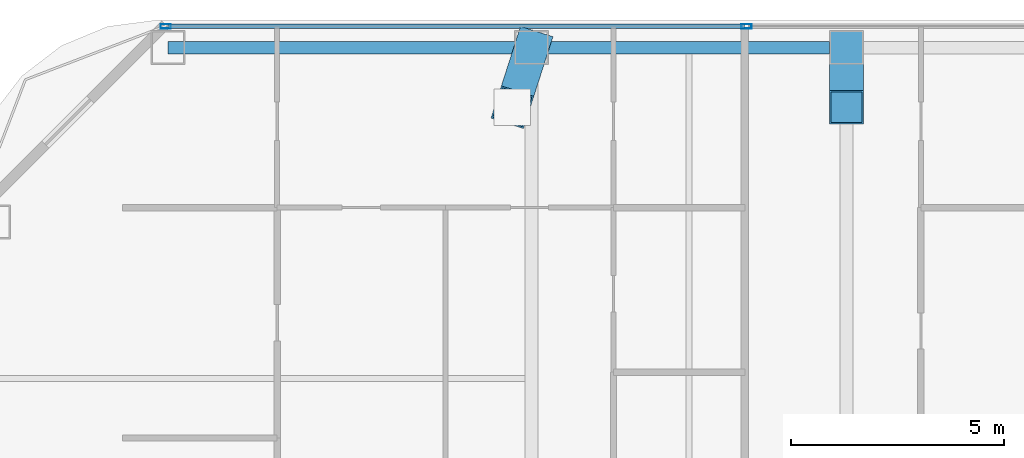
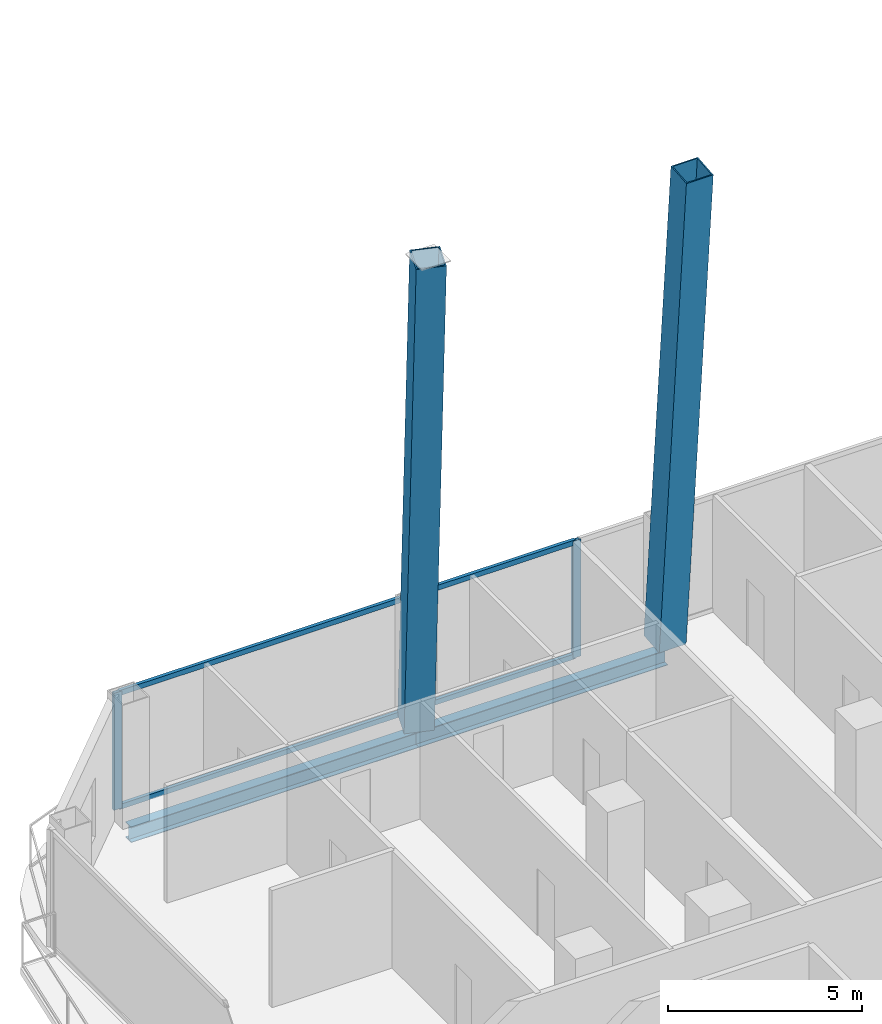
# One storey, part 18 of 32: 6 members, 2 beams, 1 element without a shape of its own.
"""IFC4 building model written with IfcOpenShell, lengths in metres."""

import ifcopenshell
import ifcopenshell.guid

model = None  # the IFC model being written
_history = None  # IfcOwnerHistory: only IFC2X3 demands one
_inside = {}  # id of a spatial element -> (the spatial element, [elements in it])
_under = {}  # id of a project, library or spatial element -> (it, [spatial elements below it])
_declared = {}  # id of a project -> (the project, [libraries it declares])
_typed = {}  # id of a type object -> (the type object, [elements of that type])
_made_of = {}  # id of a material, layer set ... -> (it, [elements and type objects made of it])


def new_model(schema):
    """Start an empty IFC model of exactly this schema.

    Asked for "IFC4X3", IfcOpenShell would pick the latest addendum, in which some entities
    have other attributes; the version numbers below select the first issue.
    IFC2X3 requires an IfcOwnerHistory on every rooted entity: one is made here for all.
    """
    global model, _history
    if schema == "IFC4X3":
        model = ifcopenshell.file(schema_version=(4, 3, 0, 0))
    else:
        model = ifcopenshell.file(schema=schema)
    _inside.clear()
    _under.clear()
    _declared.clear()
    _typed.clear()
    _made_of.clear()
    _history = None
    if model.schema == "IFC2X3":
        org = make("IfcOrganization", Name="unknown")
        user = make(
            "IfcPersonAndOrganization",
            ThePerson=make("IfcPerson", FamilyName="unknown"),
            TheOrganization=org,
        )
        app = make(
            "IfcApplication",
            ApplicationDeveloper=org,
            Version="unknown",
            ApplicationFullName="unknown",
            ApplicationIdentifier="unknown",
        )
        _history = make(
            "IfcOwnerHistory",
            OwningUser=user,
            OwningApplication=app,
            ChangeAction="ADDED",
            CreationDate=0,
        )
    return model


def make(cls, **values):
    """One entity of the class cls with the attributes given. An attribute that is None is left unset."""
    return model.create_entity(
        cls, **{name: value for name, value in values.items() if value is not None}
    )


def rooted(cls, **values):
    """An entity with a GlobalId (a new one), such as an element, a storey or a relation."""
    return make(cls, GlobalId=ifcopenshell.guid.new(), OwnerHistory=_history, **values)


def si_unit(unit_type, name, prefix=None):
    """IfcSIUnit, for example si_unit("LENGTHUNIT", "METRE", prefix="MILLI")."""
    return make("IfcSIUnit", UnitType=unit_type, Prefix=prefix, Name=name)


def assignment(units):
    """IfcUnitAssignment: the units of a project."""
    return None if units is None else make("IfcUnitAssignment", Units=units)


def point(xyz):
    """IfcCartesianPoint."""
    return None if xyz is None else make("IfcCartesianPoint", Coordinates=xyz)


def direction(xyz):
    """IfcDirection."""
    return None if xyz is None else make("IfcDirection", DirectionRatios=xyz)


def frame(location, z_axis=None, x_axis=None):
    """IfcAxis2Placement3D, a coordinate frame: its origin and axes. An axis left out is left unset."""
    return make(
        "IfcAxis2Placement3D",
        Location=point(location),
        Axis=direction(z_axis),
        RefDirection=direction(x_axis),
    )


def frame_2d(location, x_axis=None):
    """IfcAxis2Placement2D, a coordinate frame in the plane: its origin and x axis."""
    return make(
        "IfcAxis2Placement2D", Location=point(location), RefDirection=direction(x_axis)
    )


def origin():
    """The frame at (0, 0, 0) with its axes left unset."""
    return frame((0.0, 0.0, 0.0))


def origin_2d():
    """The frame at (0, 0) in the plane with its x axis left unset."""
    return frame_2d((0.0, 0.0))


def place(relative_to, where):
    """IfcLocalPlacement: puts the frame where relative to a parent placement (None: the world)."""
    return make(
        "IfcLocalPlacement", PlacementRelTo=relative_to, RelativePlacement=where
    )


def context(
    kind, dimensions, precision=None, world=None, true_north=None, identifier=None
):
    """IfcGeometricRepresentationContext, for example the 3D "Model" context."""
    return make(
        "IfcGeometricRepresentationContext",
        ContextIdentifier=identifier,
        ContextType=kind,
        CoordinateSpaceDimension=dimensions,
        Precision=precision,
        WorldCoordinateSystem=world,
        TrueNorth=true_north,
    )


def subcontext(parent, identifier, kind, view, scale=None):
    """IfcGeometricRepresentationSubContext, for example "Body" below "Model"."""
    return make(
        "IfcGeometricRepresentationSubContext",
        ContextIdentifier=identifier,
        ContextType=kind,
        ParentContext=parent,
        TargetScale=scale,
        TargetView=view,
    )


def project(units=None, contexts=None):
    """IfcProject with its units and contexts."""
    return rooted(
        "IfcProject",
        Name="project",
        RepresentationContexts=contexts,
        UnitsInContext=assignment(units),
    )


def spatial(cls, under=None, at=None, **own):
    """A site, building, storey or space (cls), placed at a placement, below another one or the project."""
    s = rooted(cls, ObjectPlacement=at, **own)
    if under is not None:
        _under.setdefault(under.id(), (under, []))[1].append(s)
    return s


def profile(cls, at=None, kind="AREA", **sizes):
    """A parametric profile (cls). Its sizes go by their IFC names, for example OverallWidth=200.0."""
    return make(cls, ProfileType=kind, Position=at, **sizes)


def hollow_rectangle(**sizes):
    """IfcRectangleHollowProfileDef."""
    return profile("IfcRectangleHollowProfileDef", **sizes)


def i_section(**sizes):
    """IfcIShapeProfileDef."""
    return profile("IfcIShapeProfileDef", **sizes)


def extrude(swept, where, along, depth):
    """IfcExtrudedAreaSolid: the profile swept, set in the frame where, extruded along a direction by depth."""
    return make(
        "IfcExtrudedAreaSolid",
        SweptArea=swept,
        Position=where,
        ExtrudedDirection=direction(along),
        Depth=depth,
    )


def shape(context_of_items, identifier, shape_type, items):
    """IfcShapeRepresentation: the items that make up one representation, for example the "Body"."""
    return make(
        "IfcShapeRepresentation",
        ContextOfItems=context_of_items,
        RepresentationIdentifier=identifier,
        RepresentationType=shape_type,
        Items=items,
    )


def material(Name=None, Category=None):
    """IfcMaterial."""
    return make("IfcMaterial", Name=Name, Category=Category)


def layer(
    of_material, thickness, ventilated=None, Name=None, Category=None, Priority=None
):
    """IfcMaterialLayer: one layer of a wall or slab, of a material (None: an air gap)."""
    return make(
        "IfcMaterialLayer",
        Material=of_material,
        LayerThickness=thickness,
        IsVentilated=ventilated,
        Name=Name,
        Category=Category,
        Priority=Priority,
    )


def layer_set(layers, Name=None):
    """IfcMaterialLayerSet."""
    return make("IfcMaterialLayerSet", MaterialLayers=layers, LayerSetName=Name)


def material_profile(
    of_material, cross_section, Name=None, Category=None, Priority=None
):
    """IfcMaterialProfile: a cross section and its material."""
    return make(
        "IfcMaterialProfile",
        Name=Name,
        Material=of_material,
        Profile=cross_section,
        Priority=Priority,
        Category=Category,
    )


def profile_set(profiles, Name=None, composite=None):
    """IfcMaterialProfileSet."""
    return make(
        "IfcMaterialProfileSet",
        Name=Name,
        MaterialProfiles=profiles,
        CompositeProfile=composite,
    )


def made_of(thing, what):
    """Note that an element or type object is made of a material, layer set ...; save() writes the relation."""
    if what is not None:
        _made_of.setdefault(what.id(), (what, []))[1].append(thing)
    return thing


def type_object(cls, material=None, **own):
    """A type object (cls), such as IfcWallType, which elements share."""
    return made_of(rooted(cls, **own), material)


def element(
    cls,
    number,
    at=None,
    inside=None,
    cuts=None,
    type_object=None,
    material=None,
    context=None,
    identifier="Body",
    shape_type=None,
    held_by="IfcProductDefinitionShape",
    body=None,
    shapes=None,
    **own,
):
    """One element of the class cls, such as IfcWall. Its Tag is "e" and its number.

    at: its placement. inside: the storey or other place that contains it. cuts: it is an
    opening in that element (IfcRelVoidsElement). A single representation is given by context,
    identifier, shape_type and body (its items); several are given by shapes. held_by: the class
    of the entity that holds the representations. save() writes the other relations.
    """
    e = rooted(cls, Tag="e%d" % number, ObjectPlacement=at, **own)
    if body is not None:
        shapes = [shape(context, identifier, shape_type, body)]
    if shapes is not None:
        e.Representation = make(held_by, Representations=shapes)
    if inside is not None:
        _inside.setdefault(inside.id(), (inside, []))[1].append(e)
    if cuts is not None:
        rooted(
            "IfcRelVoidsElement", RelatingBuildingElement=cuts, RelatedOpeningElement=e
        )
    if type_object is not None:
        _typed.setdefault(type_object.id(), (type_object, []))[1].append(e)
    return made_of(e, material)


def aggregate(whole, parts):
    """IfcRelAggregates: a whole, such as a stair, and the parts it consists of."""
    return rooted("IfcRelAggregates", RelatingObject=whole, RelatedObjects=parts)


def save(model, path):
    """Write the relations noted so far, then the file.

    IfcRelAggregates (storeys below a building ...), IfcRelContainedInSpatialStructure (elements
    in a storey), IfcRelDefinesByType, IfcRelAssociatesMaterial and IfcRelDeclares: one each for
    every whole, place, type object, material and project.
    """
    for whole, parts in _under.values():
        aggregate(whole, parts)
    for where, things in _inside.values():
        rooted(
            "IfcRelContainedInSpatialStructure",
            RelatedElements=things,
            RelatingStructure=where,
        )
    for kind, things in _typed.values():
        rooted("IfcRelDefinesByType", RelatedObjects=things, RelatingType=kind)
    for what, things in _made_of.values():
        rooted("IfcRelAssociatesMaterial", RelatedObjects=things, RelatingMaterial=what)
    for by, libraries in _declared.values():
        rooted("IfcRelDeclares", RelatingContext=by, RelatedDefinitions=libraries)
    model.write(path)


model = new_model("IFC4")

# Units and contexts
model_context = context("Model", 3, precision=1e-05, world=origin(), true_north=direction((0.0, 1.0)))
body_context = subcontext(model_context, "Body", "Model", "MODEL_VIEW")
ifc_project = project(units=[si_unit("LENGTHUNIT", "METRE"), si_unit("AREAUNIT", "SQUARE_METRE"), si_unit("VOLUMEUNIT", "CUBIC_METRE"), si_unit("PLANEANGLEUNIT", "RADIAN"), si_unit("MASSUNIT", "GRAM", prefix="KILO")], contexts=[model_context])

# Site, building, storey
site_placement = place(None, origin())
site = spatial("IfcSite", under=ifc_project, at=site_placement, CompositionType="ELEMENT")
building_placement = place(site_placement, origin())
building = spatial("IfcBuilding", under=site, at=building_placement, Name="Khorvyn Point Tower", CompositionType="ELEMENT")
storey_placement = place(building_placement, frame((0.0, 0.0, 93.0)))
storey = spatial("IfcBuildingStorey", under=building, at=storey_placement, Name="L23", CompositionType="ELEMENT", Elevation=93.0)

# Curtain wall, members
ifc_material_1 = material(Name="Anodised aluminium 6063-T6 and laminated Low-E glass", Category="aluminium")
ifc_layer = layer(ifc_material_1, 0.18994140625)
ifc_layer_set = layer_set([ifc_layer], Name="Stick-Built Finned Residential Curtain Wall CW-SYS-02")
curtain_wall_type = type_object("IfcCurtainWallType", Name="Stick-Built Finned Residential Curtain Wall CW-SYS-02", PredefinedType="NOTDEFINED", material=ifc_layer_set)
curtain_wall_placement = place(storey_placement, origin())
curtain_wall = element("IfcCurtainWall", 1, at=curtain_wall_placement, inside=storey, type_object=curtain_wall_type, Name="Curtain Wall", PredefinedType="NOTDEFINED")
ifc_material_2 = material(Name="Anodised aluminium 6063-T6", Category="aluminium")
ifc_material_profile_1 = material_profile(ifc_material_2, hollow_rectangle(XDim=0.10009765625, YDim=0.239990234375, WallThickness=0.0048828125, at=origin_2d()))
ifc_profile_set_1 = profile_set([ifc_material_profile_1], Name="Anodised aluminium 6063-T6 ALU-MUL-100x240")
member_type_1 = type_object("IfcMemberType", Name="Anodised Aluminium 6063-T6 Mullion ALU-MUL-100x240", PredefinedType="MULLION", material=ifc_profile_set_1)
member_1_placement = place(storey_placement, frame((-23.39990234375, 30.85009765625, 0.0), z_axis=(0.0, 0.0, 1.0), x_axis=(0.0, 1.0, 0.0)))
member_1 = element("IfcMember", 2, at=member_1_placement, type_object=member_type_1, Name="Transom", PredefinedType="MULLION", context=body_context, shape_type="SweptSolid", body=[
    extrude(hollow_rectangle(XDim=0.10009765625, YDim=0.239990234375, WallThickness=0.0048828125, at=origin_2d()), origin(), (0.0, 0.0, 1.0), 3.679931640625),
])
member_2_placement = place(storey_placement, frame((-9.75, 30.85009765625, 0.0), z_axis=(0.0, 0.0, 1.0), x_axis=(0.0, 1.0, 0.0)))
member_2 = element("IfcMember", 3, at=member_2_placement, type_object=member_type_1, Name="Transom", PredefinedType="MULLION", context=body_context, shape_type="SweptSolid", body=[
    extrude(hollow_rectangle(XDim=0.10009765625, YDim=0.239990234375, WallThickness=0.0048828125, at=origin_2d()), origin(), (0.0, 0.0, 1.0), 3.679931640625),
])
ifc_material_profile_2 = material_profile(ifc_material_2, hollow_rectangle(XDim=0.10009765625, YDim=0.159912109375, WallThickness=0.00439453125, at=origin_2d()))
ifc_profile_set_2 = profile_set([ifc_material_profile_2], Name="Anodised aluminium 6063-T6 ALU-TRN-100x160")
member_type_2 = type_object("IfcMemberType", Name="Anodised Aluminium 6063-T6 Transom ALU-TRN-100x160", PredefinedType="USERDEFINED", material=ifc_profile_set_2)
member_3_placement = place(storey_placement, frame((-23.35009765625, 30.85009765625, 0.050048828125), z_axis=(1.0, 0.0, 0.0), x_axis=(0.0, 1.0, 0.0)))
member_3 = element("IfcMember", 4, at=member_3_placement, type_object=member_type_2, Name="Transom", ObjectType="TRANSOM", PredefinedType="USERDEFINED", context=body_context, shape_type="SweptSolid", body=[
    extrude(hollow_rectangle(XDim=0.10009765625, YDim=0.159912109375, WallThickness=0.00439453125, at=origin_2d()), origin(), (0.0, 0.0, 1.0), 13.550048828125),
])
member_4_placement = place(storey_placement, frame((-23.35009765625, 30.85009765625, 3.6298828125), z_axis=(1.0, 0.0, 0.0), x_axis=(0.0, 1.0, 0.0)))
member_4 = element("IfcMember", 5, at=member_4_placement, type_object=member_type_2, Name="Transom", ObjectType="TRANSOM", PredefinedType="USERDEFINED", context=body_context, shape_type="SweptSolid", body=[
    extrude(hollow_rectangle(XDim=0.10009765625, YDim=0.159912109375, WallThickness=0.00439453125, at=origin_2d()), origin(), (0.0, 0.0, 1.0), 13.550048828125),
])
aggregate(curtain_wall, [member_1, member_2, member_3, member_4])

# Beams
ifc_material_3 = material(Name="Steel S355", Category="steel")
ifc_material_profile_3 = material_profile(ifc_material_3, i_section(OverallWidth=0.300048828125, OverallDepth=0.488037109375, WebThickness=0.010986328125, FlangeThickness=0.01806640625, at=origin_2d()))
ifc_profile_set_3 = profile_set([ifc_material_profile_3], Name="Steel S355 H488x300x11x18")
beam_type = type_object("IfcBeamType", Name="Steel S355 Spandrel H488x300x11x18", PredefinedType="SPANDREL", material=ifc_profile_set_3)
beam_1_placement = place(storey_placement, frame((-23.35009765625, 30.35009765625, -0.464111328125), z_axis=(1.0, 0.0, 0.0), x_axis=(0.0, 1.0, 0.0)))
element("IfcBeam", 6, at=beam_1_placement, inside=storey, type_object=beam_type, Name="Beam", PredefinedType="SPANDREL", context=body_context, shape_type="SweptSolid", body=[
    extrude(i_section(OverallWidth=0.300048828125, OverallDepth=0.488037109375, WebThickness=0.010986328125, FlangeThickness=0.01806640625, at=origin_2d()), origin(), (0.0, 0.0, 1.0), 8.550048828125),
])
beam_2_placement = place(storey_placement, frame((-14.800048828125, 30.35009765625, -0.464111328125), z_axis=(1.0, 0.0, 0.0), x_axis=(0.0, 1.0, 0.0)))
element("IfcBeam", 7, at=beam_2_placement, inside=storey, type_object=beam_type, Name="Beam", PredefinedType="SPANDREL", context=body_context, shape_type="SweptSolid", body=[
    extrude(i_section(OverallWidth=0.300048828125, OverallDepth=0.488037109375, WebThickness=0.010986328125, FlangeThickness=0.01806640625, at=origin_2d()), origin(), (0.0, 0.0, 1.0), 7.400146484375),
])

# Members
ifc_material_4 = material(Name="Steel S450", Category="steel")
ifc_material_profile_4 = material_profile(ifc_material_4, hollow_rectangle(XDim=0.800048828125, YDim=0.800048828125, WallThickness=0.035888671875, at=origin_2d()))
ifc_profile_set_4 = profile_set([ifc_material_profile_4], Name="Steel S450 BOX800x800x36")
member_type_3 = type_object("IfcMemberType", Name="Steel S450 Exoskeleton Structural Post BOX800x800x36", PredefinedType="POST", material=ifc_profile_set_4)
member_5_placement = place(storey_placement, frame((-14.800048828125, 30.35009765625, 0.0), z_axis=(-0.02871552229, -0.089356223728, 0.995585699004), x_axis=(0.952047559044, -0.305950069977, 0.0)))
element("IfcMember", 8, at=member_5_placement, inside=storey, type_object=member_type_3, Name="L23 to L27 Exoskeleton Transfer Post 02", PredefinedType="POST", context=body_context, shape_type="SweptSolid", body=[
    extrude(hollow_rectangle(XDim=0.800048828125, YDim=0.800048828125, WallThickness=0.035888671875, at=origin_2d()), origin(), (0.0, 0.0, 1.0), 15.669189453125),
])
member_6_placement = place(storey_placement, frame((-7.39990234375, 30.35009765625, 0.0), z_axis=(0.0, -0.08939308726, 0.995996423663), x_axis=(1.0, 0.0, 0.0)))
element("IfcMember", 9, at=member_6_placement, inside=storey, type_object=member_type_3, Name="L23 to L27 Exoskeleton Transfer Post 08", PredefinedType="POST", context=body_context, shape_type="SweptSolid", body=[
    extrude(hollow_rectangle(XDim=0.800048828125, YDim=0.800048828125, WallThickness=0.035888671875, at=origin_2d()), origin(), (0.0, 0.0, 1.0), 15.662841796875),
])

save(model, "model.ifc")
